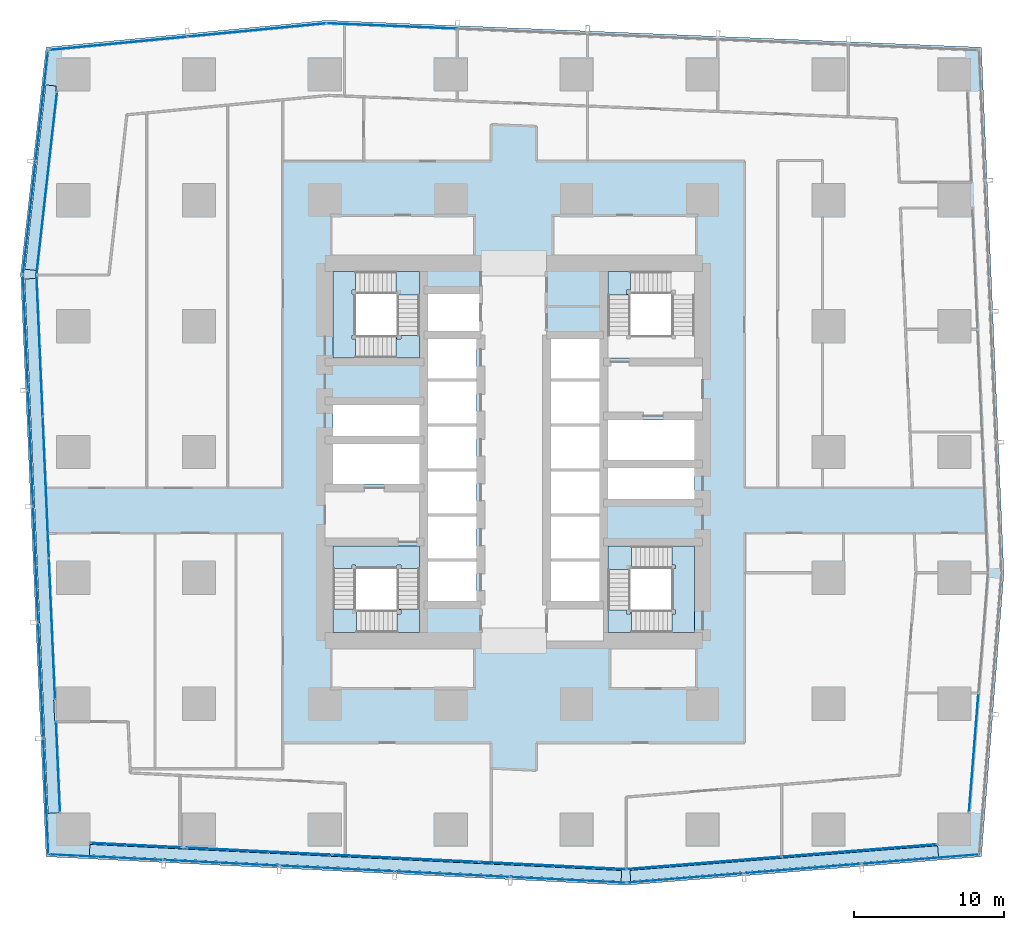
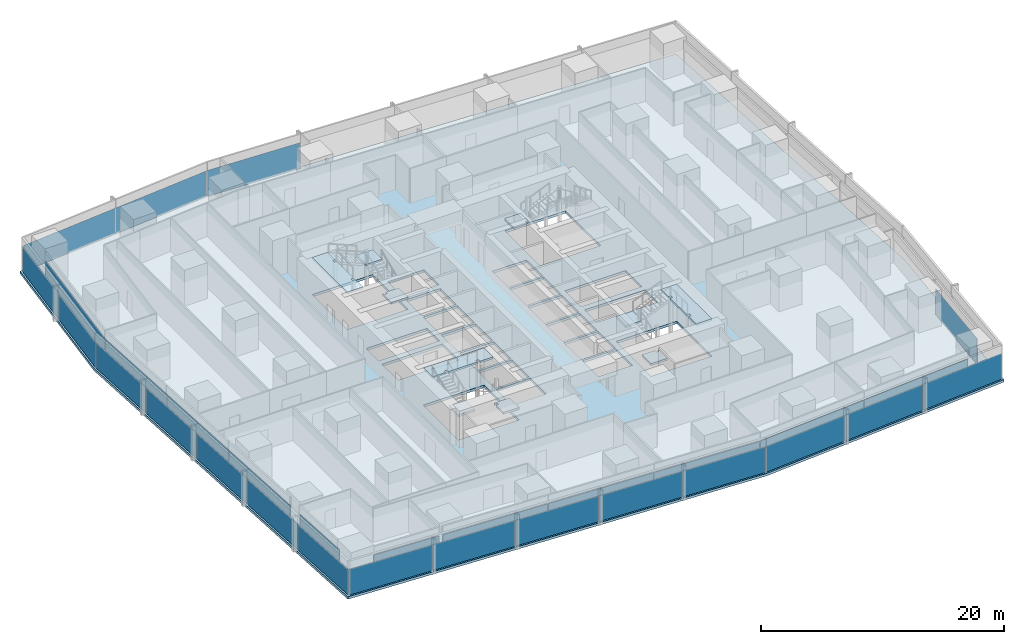
# One storey, part 30 of 44: 34 plates, 11 slabs, 17 elements without a shape of their own.
"""IFC4 building model written with IfcOpenShell, lengths in metres."""

from ifc_helpers import new_model, si_unit, direction, frame, origin, origin_2d, place, context, subcontext, project, spatial, polyline, rectangle, outline, extrude, material, layer, layer_set, type_object, element, aggregate, save


model = new_model("IFC4")

# Units and contexts
model_context = context("Model", 3, precision=1e-05, world=origin(), true_north=direction((0.0, 1.0)))
body_context = subcontext(model_context, "Body", "Model", "MODEL_VIEW")
ifc_project = project(units=[si_unit("LENGTHUNIT", "METRE"), si_unit("AREAUNIT", "SQUARE_METRE"), si_unit("VOLUMEUNIT", "CUBIC_METRE"), si_unit("PLANEANGLEUNIT", "RADIAN"), si_unit("MASSUNIT", "GRAM", prefix="KILO")], contexts=[model_context])

# Site, building, storey
site_placement = place(None, origin())
site = spatial("IfcSite", under=ifc_project, at=site_placement, CompositionType="ELEMENT")
building_placement = place(site_placement, origin())
building = spatial("IfcBuilding", under=site, at=building_placement, Name="Rekha Terrace Tower", CompositionType="ELEMENT")
storey_placement = place(building_placement, frame((0.0, 0.0, 47.89990234375)))
storey = spatial("IfcBuildingStorey", under=building, at=storey_placement, Name="L11", CompositionType="ELEMENT", Elevation=47.89990234375)

# Curtain wall, plate
ifc_material_1 = material(Name="Aluminium framing", Category="aluminium")
curtain_wall_type_1 = type_object("IfcCurtainWallType", Name="CW1 double skin inner glazing", PredefinedType="USERDEFINED", material=ifc_material_1)
curtain_wall_1_placement = place(storey_placement, origin())
curtain_wall_1 = element("IfcCurtainWall", 1, at=curtain_wall_1_placement, inside=storey, type_object=curtain_wall_type_1, Name="CW1 double skin inner glazing", ObjectType="DOUBLE SKIN INNER GLAZING", PredefinedType="USERDEFINED")
ifc_material_2 = material(Name="Double-glazed low-e unit 32", Category="glass")
ifc_layer_1 = layer(ifc_material_2, 0.031982421875)
ifc_layer_set_1 = layer_set([ifc_layer_1], Name="Double-glazed low-e unit 32")
plate_type_1 = type_object("IfcPlateType", Name="CW1 jumbo vision panel, double-glazed low-e unit 32", PredefinedType="CURTAIN_PANEL", material=ifc_layer_set_1)
plate_1_placement = place(storey_placement, frame((12.60009765625, 7.36669921875, 0.0), z_axis=(0.0, 0.0, 1.0), x_axis=(0.998796239977, -0.049051717693, 0.0)))
plate_1 = element("IfcPlate", 2, at=plate_1_placement, type_object=plate_type_1, Name="CW1 panel 1.1", PredefinedType="CURTAIN_PANEL", context=body_context, shape_type="SweptSolid", body=[
    extrude(rectangle(XDim=6.028076171875, YDim=0.031982421875, at=origin_2d()), origin(), (0.0, 0.0, 1.0), 2.60009765625),
])
aggregate(curtain_wall_1, [plate_1])

# Curtain wall, plates
curtain_wall_2_placement = place(storey_placement, origin())
curtain_wall_2 = element("IfcCurtainWall", 3, at=curtain_wall_2_placement, inside=storey, type_object=curtain_wall_type_1, Name="CW1 double skin inner glazing", ObjectType="DOUBLE SKIN INNER GLAZING", PredefinedType="USERDEFINED")
plate_2_placement = place(storey_placement, frame((20.818603515625, 6.962890625, 0.0), z_axis=(0.0, 0.0, 1.0), x_axis=(0.998796239974, -0.049051717746, 0.0)))
plate_2 = element("IfcPlate", 4, at=plate_2_placement, type_object=plate_type_1, Name="CW1 panel 1.1", PredefinedType="CURTAIN_PANEL", context=body_context, shape_type="SweptSolid", body=[
    extrude(rectangle(XDim=9.701904296875, YDim=0.031982421875, at=origin_2d()), origin(), (0.0, 0.0, 1.0), 2.60009765625),
])
plate_3_placement = place(storey_placement, frame((30.590087890625, 6.483154296875, 0.0), z_axis=(0.0, 0.0, 1.0), x_axis=(0.998796239974, -0.049051717746, 0.0)))
plate_3 = element("IfcPlate", 5, at=plate_3_placement, type_object=plate_type_1, Name="CW1 panel 2.1", PredefinedType="CURTAIN_PANEL", context=body_context, shape_type="SweptSolid", body=[
    extrude(rectangle(XDim=9.734619140625, YDim=0.031982421875, at=origin_2d()), origin(), (0.0, 0.0, 1.0), 2.60009765625),
])
plate_4_placement = place(storey_placement, frame((40.39404296875, 6.001708984375, 0.0), z_axis=(0.0, 0.0, 1.0), x_axis=(0.998796239974, -0.049051717746, 0.0)))
plate_4 = element("IfcPlate", 6, at=plate_4_placement, type_object=plate_type_1, Name="CW1 panel 3.1", PredefinedType="CURTAIN_PANEL", context=body_context, shape_type="SweptSolid", body=[
    extrude(rectangle(XDim=9.76708984375, YDim=0.031982421875, at=origin_2d()), origin(), (0.0, 0.0, 1.0), 2.60009765625),
])
aggregate(curtain_wall_2, [plate_2, plate_3, plate_4])

curtain_wall_3_placement = place(storey_placement, origin())
curtain_wall_3 = element("IfcCurtainWall", 7, at=curtain_wall_3_placement, inside=storey, type_object=curtain_wall_type_1, Name="CW1 double skin inner glazing", ObjectType="DOUBLE SKIN INNER GLAZING", PredefinedType="USERDEFINED")
plate_5_placement = place(storey_placement, frame((50.488037109375, 6.18017578125, 0.0), z_axis=(0.0, 0.0, 1.0), x_axis=(0.996805111821, 0.079872204468, 0.0)))
plate_5 = element("IfcPlate", 8, at=plate_5_placement, type_object=plate_type_1, Name="CW1 panel 1.1", PredefinedType="CURTAIN_PANEL", context=body_context, shape_type="SweptSolid", body=[
    extrude(rectangle(XDim=10.336181640625, YDim=0.031982421875, at=origin_2d()), origin(), (0.0, 0.0, 1.0), 2.60009765625),
])
plate_6_placement = place(storey_placement, frame((60.85595703125, 7.0107421875, 0.0), z_axis=(0.0, 0.0, 1.0), x_axis=(0.996805111821, 0.079872204468, 0.0)))
plate_6 = element("IfcPlate", 9, at=plate_6_placement, type_object=plate_type_1, Name="CW1 panel 2.1", PredefinedType="CURTAIN_PANEL", context=body_context, shape_type="SweptSolid", body=[
    extrude(rectangle(XDim=10.336181640625, YDim=0.031982421875, at=origin_2d()), origin(), (0.0, 0.0, 1.0), 2.60009765625),
])
aggregate(curtain_wall_3, [plate_5, plate_6])

# Curtain wall, plate
curtain_wall_4_placement = place(storey_placement, origin())
curtain_wall_4 = element("IfcCurtainWall", 10, at=curtain_wall_4_placement, inside=storey, type_object=curtain_wall_type_1, Name="CW1 double skin inner glazing", ObjectType="DOUBLE SKIN INNER GLAZING", PredefinedType="USERDEFINED")
plate_7_placement = place(storey_placement, frame((68.487548828125, 13.541748046875, 0.0), z_axis=(0.0, 0.0, 1.0), x_axis=(0.079116301, 0.996865392576, 0.0)))
plate_7 = element("IfcPlate", 11, at=plate_7_placement, type_object=plate_type_1, Name="CW1 panel 1.1", PredefinedType="CURTAIN_PANEL", context=body_context, shape_type="SweptSolid", body=[
    extrude(rectangle(XDim=7.923583984375, YDim=0.031982421875, at=origin_2d()), origin(), (0.0, 0.0, 1.0), 2.60009765625),
])
aggregate(curtain_wall_4, [plate_7])

curtain_wall_5_placement = place(storey_placement, origin())
curtain_wall_5 = element("IfcCurtainWall", 12, at=curtain_wall_5_placement, inside=storey, type_object=curtain_wall_type_1, Name="CW1 double skin inner glazing", ObjectType="DOUBLE SKIN INNER GLAZING", PredefinedType="USERDEFINED")
plate_8_placement = place(storey_placement, frame((6.646728515625, 51.52734375, 0.0), z_axis=(0.0, 0.0, 1.0), x_axis=(-0.111729870748, -0.993738615524, 0.0)))
plate_8 = element("IfcPlate", 13, at=plate_8_placement, type_object=plate_type_1, Name="CW1 panel 1.1", PredefinedType="CURTAIN_PANEL", context=body_context, shape_type="SweptSolid", body=[
    extrude(rectangle(XDim=12.243896484375, YDim=0.031982421875, at=origin_2d()), origin(), (0.0, 0.0, 1.0), 2.60009765625),
])
aggregate(curtain_wall_5, [plate_8])

# Curtain wall, plates
curtain_wall_6_placement = place(storey_placement, origin())
curtain_wall_6 = element("IfcCurtainWall", 14, at=curtain_wall_6_placement, inside=storey, type_object=curtain_wall_type_1, Name="CW1 double skin inner glazing", ObjectType="DOUBLE SKIN INNER GLAZING", PredefinedType="USERDEFINED")
plate_9_placement = place(storey_placement, frame((6.170166015625, 40.69482421875, 0.0), z_axis=(0.0, 0.0, 1.0), x_axis=(0.043682543337, -0.999045462133, 0.0)))
plate_9 = element("IfcPlate", 15, at=plate_9_placement, type_object=plate_type_1, Name="CW1 panel 1.1", PredefinedType="CURTAIN_PANEL", context=body_context, shape_type="SweptSolid", body=[
    extrude(rectangle(XDim=9.376953125, YDim=0.031982421875, at=origin_2d()), origin(), (0.0, 0.0, 1.0), 2.60009765625),
])
plate_10_placement = place(storey_placement, frame((6.58349609375, 31.245361328125, 0.0), z_axis=(0.0, 0.0, 1.0), x_axis=(0.043682543337, -0.999045462133, 0.0)))
plate_10 = element("IfcPlate", 16, at=plate_10_placement, type_object=plate_type_1, Name="CW1 panel 2.1", PredefinedType="CURTAIN_PANEL", context=body_context, shape_type="SweptSolid", body=[
    extrude(rectangle(XDim=9.40966796875, YDim=0.031982421875, at=origin_2d()), origin(), (0.0, 0.0, 1.0), 2.60009765625),
])
plate_11_placement = place(storey_placement, frame((6.99658203125, 21.796142578125, 0.0), z_axis=(0.0, 0.0, 1.0), x_axis=(0.043682543337, -0.999045462133, 0.0)))
plate_11 = element("IfcPlate", 17, at=plate_11_placement, type_object=plate_type_1, Name="CW1 panel 3.1", PredefinedType="CURTAIN_PANEL", context=body_context, shape_type="SweptSolid", body=[
    extrude(rectangle(XDim=9.376953125, YDim=0.031982421875, at=origin_2d()), origin(), (0.0, 0.0, 1.0), 2.60009765625),
])
aggregate(curtain_wall_6, [plate_9, plate_10, plate_11])

# Curtain wall, plate
curtain_wall_7_placement = place(storey_placement, origin())
curtain_wall_7 = element("IfcCurtainWall", 18, at=curtain_wall_7_placement, inside=storey, type_object=curtain_wall_type_1, Name="CW1 double skin inner glazing", ObjectType="DOUBLE SKIN INNER GLAZING", PredefinedType="USERDEFINED")
plate_12_placement = place(storey_placement, frame((7.398681640625, 12.60009765625, 0.0), z_axis=(0.0, 0.0, 1.0), x_axis=(0.043682543424, -0.999045462129, 0.0)))
plate_12 = element("IfcPlate", 19, at=plate_12_placement, type_object=plate_type_1, Name="CW1 panel 1.1", PredefinedType="CURTAIN_PANEL", context=body_context, shape_type="SweptSolid", body=[
    extrude(rectangle(XDim=6.027587890625, YDim=0.031982421875, at=origin_2d()), origin(), (0.0, 0.0, 1.0), 2.60009765625),
])
aggregate(curtain_wall_7, [plate_12])

# Curtain wall, plates
curtain_wall_type_2 = type_object("IfcCurtainWallType", Name="CW2 double skin outer glazing", PredefinedType="USERDEFINED", material=ifc_material_1)
curtain_wall_8_placement = place(storey_placement, origin())
curtain_wall_8 = element("IfcCurtainWall", 20, at=curtain_wall_8_placement, inside=storey, type_object=curtain_wall_type_2, Name="CW2 double skin outer glazing", ObjectType="DOUBLE SKIN OUTER GLAZING", PredefinedType="USERDEFINED")
ifc_material_3 = material(Name="Toughened single glazing 12", Category="glass")
ifc_layer_2 = layer(ifc_material_3, 0.011962890625)
ifc_layer_set_2 = layer_set([ifc_layer_2], Name="Toughened single glazing 12")
plate_type_2 = type_object("IfcPlateType", Name="CW2 jumbo vision panel, toughened single glazing 12", PredefinedType="CURTAIN_PANEL", material=ifc_layer_set_2)
plate_13_placement = place(storey_placement, frame((10.626708984375, 6.5625, 0.0), z_axis=(0.0, 0.0, 1.0), x_axis=(0.998796239974, -0.049051717746, 0.0)))
plate_13 = element("IfcPlate", 21, at=plate_13_placement, type_object=plate_type_2, Name="CW2 panel 1.1", PredefinedType="CURTAIN_PANEL", context=body_context, shape_type="SweptSolid", body=[
    extrude(rectangle(XDim=7.595703125, YDim=0.011962890625, at=origin_2d()), origin(), (0.0, 0.0, 1.0), 2.60009765625),
])
plate_14_placement = place(storey_placement, frame((18.31298828125, 6.18505859375, 0.0), z_axis=(0.0, 0.0, 1.0), x_axis=(0.998796239974, -0.049051717746, 0.0)))
plate_14 = element("IfcPlate", 22, at=plate_14_placement, type_object=plate_type_2, Name="CW2 panel 2.1", PredefinedType="CURTAIN_PANEL", context=body_context, shape_type="SweptSolid", body=[
    extrude(rectangle(XDim=7.6357421875, YDim=0.011962890625, at=origin_2d()), origin(), (0.0, 0.0, 1.0), 2.60009765625),
])
plate_15_placement = place(storey_placement, frame((26.01953125, 5.806396484375, 0.0), z_axis=(0.0, 0.0, 1.0), x_axis=(0.998796239974, -0.049051717746, 0.0)))
plate_15 = element("IfcPlate", 23, at=plate_15_placement, type_object=plate_type_2, Name="CW2 panel 3.1", PredefinedType="CURTAIN_PANEL", context=body_context, shape_type="SweptSolid", body=[
    extrude(rectangle(XDim=7.6357421875, YDim=0.011962890625, at=origin_2d()), origin(), (0.0, 0.0, 1.0), 2.60009765625),
])
plate_16_placement = place(storey_placement, frame((33.725830078125, 5.427978515625, 0.0), z_axis=(0.0, 0.0, 1.0), x_axis=(0.998796239974, -0.049051717746, 0.0)))
plate_16 = element("IfcPlate", 24, at=plate_16_placement, type_object=plate_type_2, Name="CW2 panel 4.1", PredefinedType="CURTAIN_PANEL", context=body_context, shape_type="SweptSolid", body=[
    extrude(rectangle(XDim=7.6357421875, YDim=0.011962890625, at=origin_2d()), origin(), (0.0, 0.0, 1.0), 2.60009765625),
])
plate_17_placement = place(storey_placement, frame((41.452392578125, 5.048583984375, 0.0), z_axis=(0.0, 0.0, 1.0), x_axis=(0.998796239974, -0.049051717746, 0.0)))
plate_17 = element("IfcPlate", 25, at=plate_17_placement, type_object=plate_type_2, Name="CW2 panel 5.1", PredefinedType="CURTAIN_PANEL", context=body_context, shape_type="SweptSolid", body=[
    extrude(rectangle(XDim=7.67578125, YDim=0.011962890625, at=origin_2d()), origin(), (0.0, 0.0, 1.0), 2.60009765625),
])
aggregate(curtain_wall_8, [plate_13, plate_14, plate_15, plate_16, plate_17])

curtain_wall_9_placement = place(storey_placement, origin())
curtain_wall_9 = element("IfcCurtainWall", 26, at=curtain_wall_9_placement, inside=storey, type_object=curtain_wall_type_2, Name="CW2 double skin outer glazing", ObjectType="DOUBLE SKIN OUTER GLAZING", PredefinedType="USERDEFINED")
plate_18_placement = place(storey_placement, frame((49.233154296875, 5.176513671875, 0.0), z_axis=(0.0, 0.0, 1.0), x_axis=(0.996805111821, 0.079872204468, 0.0)))
plate_18 = element("IfcPlate", 27, at=plate_18_placement, type_object=plate_type_2, Name="CW2 panel 1.1", PredefinedType="CURTAIN_PANEL", context=body_context, shape_type="SweptSolid", body=[
    extrude(rectangle(XDim=7.760498046875, YDim=0.011962890625, at=origin_2d()), origin(), (0.0, 0.0, 1.0), 2.60009765625),
])
plate_19_placement = place(storey_placement, frame((57.068359375, 5.804443359375, 0.0), z_axis=(0.0, 0.0, 1.0), x_axis=(0.996805111821, 0.079872204468, 0.0)))
plate_19 = element("IfcPlate", 28, at=plate_19_placement, type_object=plate_type_2, Name="CW2 panel 2.1", PredefinedType="CURTAIN_PANEL", context=body_context, shape_type="SweptSolid", body=[
    extrude(rectangle(XDim=7.800537109375, YDim=0.011962890625, at=origin_2d()), origin(), (0.0, 0.0, 1.0), 2.60009765625),
])
plate_20_placement = place(storey_placement, frame((64.943603515625, 6.435546875, 0.0), z_axis=(0.0, 0.0, 1.0), x_axis=(0.996805111821, 0.079872204468, 0.0)))
plate_20 = element("IfcPlate", 29, at=plate_20_placement, type_object=plate_type_2, Name="CW2 panel 3.1", PredefinedType="CURTAIN_PANEL", context=body_context, shape_type="SweptSolid", body=[
    extrude(rectangle(XDim=7.84033203125, YDim=0.011962890625, at=origin_2d()), origin(), (0.0, 0.0, 1.0), 2.60009765625),
])
aggregate(curtain_wall_9, [plate_18, plate_19, plate_20])

curtain_wall_10_placement = place(storey_placement, origin())
curtain_wall_10 = element("IfcCurtainWall", 30, at=curtain_wall_10_placement, inside=storey, type_object=curtain_wall_type_2, Name="CW2 double skin outer glazing", ObjectType="DOUBLE SKIN OUTER GLAZING", PredefinedType="USERDEFINED")
plate_21_placement = place(storey_placement, frame((6.3212890625, 56.688720703125, 0.0), z_axis=(0.0, 0.0, 1.0), x_axis=(-0.111729870782, -0.99373861552, 0.0)))
plate_21 = element("IfcPlate", 31, at=plate_21_placement, type_object=plate_type_2, Name="CW2 panel 1.1", PredefinedType="CURTAIN_PANEL", context=body_context, shape_type="SweptSolid", body=[
    extrude(rectangle(XDim=7.41650390625, YDim=0.011962890625, at=origin_2d()), origin(), (0.0, 0.0, 1.0), 2.60009765625),
])
plate_22_placement = place(storey_placement, frame((5.479248046875, 49.19921875, 0.0), z_axis=(0.0, 0.0, 1.0), x_axis=(-0.111729870782, -0.99373861552, 0.0)))
plate_22 = element("IfcPlate", 32, at=plate_22_placement, type_object=plate_type_2, Name="CW2 panel 2.1", PredefinedType="CURTAIN_PANEL", context=body_context, shape_type="SweptSolid", body=[
    extrude(rectangle(XDim=7.49658203125, YDim=0.011962890625, at=origin_2d()), origin(), (0.0, 0.0, 1.0), 2.60009765625),
])
aggregate(curtain_wall_10, [plate_21, plate_22])

curtain_wall_11_placement = place(storey_placement, origin())
curtain_wall_11 = element("IfcCurtainWall", 33, at=curtain_wall_11_placement, inside=storey, type_object=curtain_wall_type_2, Name="CW2 double skin outer glazing", ObjectType="DOUBLE SKIN OUTER GLAZING", PredefinedType="USERDEFINED")
plate_23_placement = place(storey_placement, frame((5.23046875, 41.582275390625, 0.0), z_axis=(0.0, 0.0, 1.0), x_axis=(0.043682543372, -0.999045462131, 0.0)))
plate_23 = element("IfcPlate", 34, at=plate_23_placement, type_object=plate_type_2, Name="CW2 panel 1.1", PredefinedType="CURTAIN_PANEL", context=body_context, shape_type="SweptSolid", body=[
    extrude(rectangle(XDim=7.6318359375, YDim=0.011962890625, at=origin_2d()), origin(), (0.0, 0.0, 1.0), 2.60009765625),
])
plate_24_placement = place(storey_placement, frame((5.568359375, 33.85791015625, 0.0), z_axis=(0.0, 0.0, 1.0), x_axis=(0.043682543372, -0.999045462131, 0.0)))
plate_24 = element("IfcPlate", 35, at=plate_24_placement, type_object=plate_type_2, Name="CW2 panel 2.1", PredefinedType="CURTAIN_PANEL", context=body_context, shape_type="SweptSolid", body=[
    extrude(rectangle(XDim=7.671875, YDim=0.011962890625, at=origin_2d()), origin(), (0.0, 0.0, 1.0), 2.60009765625),
])
plate_25_placement = place(storey_placement, frame((5.906982421875, 26.113525390625, 0.0), z_axis=(0.0, 0.0, 1.0), x_axis=(0.043682543372, -0.999045462131, 0.0)))
plate_25 = element("IfcPlate", 36, at=plate_25_placement, type_object=plate_type_2, Name="CW2 panel 3.1", PredefinedType="CURTAIN_PANEL", context=body_context, shape_type="SweptSolid", body=[
    extrude(rectangle(XDim=7.671875, YDim=0.011962890625, at=origin_2d()), origin(), (0.0, 0.0, 1.0), 2.60009765625),
])
plate_26_placement = place(storey_placement, frame((6.24560546875, 18.369140625, 0.0), z_axis=(0.0, 0.0, 1.0), x_axis=(0.043682543372, -0.999045462131, 0.0)))
plate_26 = element("IfcPlate", 37, at=plate_26_placement, type_object=plate_type_2, Name="CW2 panel 4.1", PredefinedType="CURTAIN_PANEL", context=body_context, shape_type="SweptSolid", body=[
    extrude(rectangle(XDim=7.671875, YDim=0.011962890625, at=origin_2d()), origin(), (0.0, 0.0, 1.0), 2.60009765625),
])
plate_27_placement = place(storey_placement, frame((6.5849609375, 10.60498046875, 0.0), z_axis=(0.0, 0.0, 1.0), x_axis=(0.043682543372, -0.999045462131, 0.0)))
plate_27 = element("IfcPlate", 38, at=plate_27_placement, type_object=plate_type_2, Name="CW2 panel 5.1", PredefinedType="CURTAIN_PANEL", context=body_context, shape_type="SweptSolid", body=[
    extrude(rectangle(XDim=7.711669921875, YDim=0.011962890625, at=origin_2d()), origin(), (0.0, 0.0, 1.0), 2.60009765625),
])
aggregate(curtain_wall_11, [plate_23, plate_24, plate_25, plate_26, plate_27])

# Curtain wall, plate
curtain_wall_type_3 = type_object("IfcCurtainWallType", Name="CW3 north unitised glazing", PredefinedType="USERDEFINED", material=ifc_material_1)
curtain_wall_12_placement = place(storey_placement, origin())
curtain_wall_12 = element("IfcCurtainWall", 39, at=curtain_wall_12_placement, inside=storey, type_object=curtain_wall_type_3, Name="CW3 unitised curtain wall", ObjectType="UNITISED CURTAIN WALL", PredefinedType="USERDEFINED")
ifc_material_4 = material(Name="Double-glazed unit 28", Category="glass")
ifc_layer_3 = layer(ifc_material_4, 0.028076171875)
ifc_layer_set_3 = layer_set([ifc_layer_3], Name="Double-glazed unit 28")
plate_type_3 = type_object("IfcPlateType", Name="CW3 jumbo vision panel, double-glazed unit 28", PredefinedType="CURTAIN_PANEL", material=ifc_layer_set_3)
plate_28_placement = place(storey_placement, frame((29.65625, 62.021240234375, 0.0), z_axis=(0.0, 0.0, 1.0), x_axis=(-0.999151997647, 0.041173846041, 0.0)))
plate_28 = element("IfcPlate", 40, at=plate_28_placement, type_object=plate_type_3, Name="CW3 panel 5.1", PredefinedType="CURTAIN_PANEL", context=body_context, shape_type="SweptSolid", body=[
    extrude(rectangle(XDim=8.6689453125, YDim=0.028076171875, at=origin_2d()), origin(), (0.0, 0.0, 1.0), 2.60009765625),
])
aggregate(curtain_wall_12, [plate_28])

# Curtain wall, plates
curtain_wall_13_placement = place(storey_placement, origin())
curtain_wall_13 = element("IfcCurtainWall", 41, at=curtain_wall_13_placement, inside=storey, type_object=curtain_wall_type_3, Name="CW3 unitised curtain wall", ObjectType="UNITISED CURTAIN WALL", PredefinedType="USERDEFINED")
plate_29_placement = place(storey_placement, frame((20.671875, 61.752197265625, 0.0), z_axis=(0.0, 0.0, 1.0), x_axis=(-0.995409029102, -0.095712406625, 0.0)))
plate_29 = element("IfcPlate", 42, at=plate_29_placement, type_object=plate_type_3, Name="CW3 panel 1.1", PredefinedType="CURTAIN_PANEL", context=body_context, shape_type="SweptSolid", body=[
    extrude(rectangle(XDim=9.210205078125, YDim=0.028076171875, at=origin_2d()), origin(), (0.0, 0.0, 1.0), 2.60009765625),
])
plate_30_placement = place(storey_placement, frame((11.434326171875, 60.864013671875, 0.0), z_axis=(0.0, 0.0, 1.0), x_axis=(-0.995409029102, -0.095712406625, 0.0)))
plate_30 = element("IfcPlate", 43, at=plate_30_placement, type_object=plate_type_3, Name="CW3 panel 2.1", PredefinedType="CURTAIN_PANEL", context=body_context, shape_type="SweptSolid", body=[
    extrude(rectangle(XDim=9.210205078125, YDim=0.028076171875, at=origin_2d()), origin(), (0.0, 0.0, 1.0), 2.60009765625),
])
aggregate(curtain_wall_13, [plate_29, plate_30])

# Plates
ifc_material_5 = material(Name="Galvanised steel open grating", Category="steel")
ifc_layer_4 = layer(ifc_material_5, 0.050048828125)
ifc_layer_set_4 = layer_set([ifc_layer_4], Name="Galvanised steel open grating")
plate_type_4 = type_object("IfcPlateType", Name="GT1 cavity walkway grating 50", PredefinedType="USERDEFINED", material=ifc_layer_set_4)
plate_31_placement = place(storey_placement, frame((27.24365234375, 6.197021484375, 0.0), z_axis=(0.0, 0.0, 1.0), x_axis=(0.998796239974, -0.049051717746, 0.0)))
element("IfcPlate", 44, at=plate_31_placement, inside=storey, type_object=plate_type_4, Name="Cavity walkway grating", ObjectType="CAVITY WALKWAY GRATING", PredefinedType="USERDEFINED", context=body_context, shape_type="SweptSolid", body=[
    extrude(rectangle(XDim=35.512939453125, YDim=0.705078125, at=origin_2d()), origin(), (0.0, 0.0, 1.0), 0.050048828125),
])
plate_32_placement = place(storey_placement, frame((55.841552734375, 6.15771484375, 0.0), z_axis=(0.0, 0.0, 1.0), x_axis=(0.996805111821, 0.079872204468, 0.0)))
element("IfcPlate", 45, at=plate_32_placement, inside=storey, type_object=plate_type_4, Name="Cavity walkway grating", ObjectType="CAVITY WALKWAY GRATING", PredefinedType="USERDEFINED", context=body_context, shape_type="SweptSolid", body=[
    extrude(rectangle(XDim=20.59375, YDim=0.705078125, at=origin_2d()), origin(), (0.0, 0.0, 1.0), 0.050048828125),
])
plate_33_placement = place(storey_placement, frame((6.236328125, 51.90576171875, 0.0), z_axis=(0.0, 0.0, 1.0), x_axis=(-0.1117298708, -0.993738615518, 0.0)))
element("IfcPlate", 46, at=plate_33_placement, inside=storey, type_object=plate_type_4, Name="Cavity walkway grating", ObjectType="CAVITY WALKWAY GRATING", PredefinedType="USERDEFINED", context=body_context, shape_type="SweptSolid", body=[
    extrude(rectangle(XDim=12.374267578125, YDim=0.705078125, at=origin_2d()), origin(), (0.0, 0.0, 1.0), 0.050048828125),
])
plate_34_placement = place(storey_placement, frame((6.303955078125, 27.3349609375, 0.0), z_axis=(0.0, 0.0, 1.0), x_axis=(0.043682543355, -0.999045462132, 0.0)))
element("IfcPlate", 47, at=plate_34_placement, inside=storey, type_object=plate_type_4, Name="Cavity walkway grating", ObjectType="CAVITY WALKWAY GRATING", PredefinedType="USERDEFINED", context=body_context, shape_type="SweptSolid", body=[
    extrude(rectangle(XDim=35.682861328125, YDim=0.705078125, at=origin_2d()), origin(), (0.0, 0.0, 1.0), 0.050048828125),
])

# Stair, slabs
ifc_material_6 = material(Name="Concrete M40", Category="concrete")
stair_type = type_object("IfcStairType", Name="ST30 stair, 30 risers of 125, going 300, 1500 wide flights, 3 flights", PredefinedType="HALF_TURN_STAIR", material=ifc_material_6)
stair_1_placement = place(storey_placement, origin())
stair_1 = element("IfcStair", 48, at=stair_1_placement, inside=storey, type_object=stair_type, Name="Stair ST1 L11 to L12", PredefinedType="HALF_TURN_STAIR")
ifc_layer_5 = layer(ifc_material_6, 0.199951171875)
ifc_layer_set_5 = layer_set([ifc_layer_5], Name="Concrete M40")
slab_type_1 = type_object("IfcSlabType", Name="LD1 200 concrete stair landing", PredefinedType="LANDING", material=ifc_layer_set_5)
slab_1_placement = place(storey_placement, frame((0.0, 0.0, 1.050048828125)))
slab_1 = element("IfcSlab", 49, at=slab_1_placement, type_object=slab_type_1, Name="ST1 landing 1", PredefinedType="LANDING", context=body_context, shape_type="SweptSolid", body=[
    extrude(outline(polyline([(30.02490234375, 21.550048828125), (31.52490234375, 21.550048828125), (31.52490234375, 23.125), (30.02490234375, 23.125), (30.02490234375, 23.050048828125), (30.27490234375, 23.050048828125), (30.27490234375, 22.800048828125), (30.02490234375, 22.800048828125), (30.02490234375, 21.550048828125)])), origin(), (0.0, 0.0, 1.0), 0.199951171875),
])
slab_2_placement = place(storey_placement, frame((0.0, 0.0, 2.300048828125)))
slab_2 = element("IfcSlab", 50, at=slab_2_placement, type_object=slab_type_1, Name="ST1 landing 2", PredefinedType="LANDING", context=body_context, shape_type="SweptSolid", body=[
    extrude(outline(polyline([(27.25, 23.125), (25.75, 23.125), (25.75, 21.550048828125), (27.324951171875, 21.550048828125), (27.324951171875, 23.050048828125), (27.25, 23.050048828125), (27.25, 23.125)])), origin(), (0.0, 0.0, 1.0), 0.199951171875),
])
slab_3_placement = place(storey_placement, frame((0.0, 0.0, 3.550048828125)))
slab_3 = element("IfcSlab", 51, at=slab_3_placement, type_object=slab_type_1, Name="ST1 landing 3", PredefinedType="LANDING", context=body_context, shape_type="SweptSolid", body=[
    extrude(outline(polyline([(31.52490234375, 25.824951171875), (31.52490234375, 27.324951171875), (25.75, 27.324951171875), (25.75, 25.824951171875), (27.0, 25.824951171875), (27.0, 26.074951171875), (27.25, 26.074951171875), (27.25, 25.824951171875), (30.02490234375, 25.824951171875), (30.02490234375, 26.074951171875), (30.27490234375, 26.074951171875), (30.27490234375, 25.824951171875), (31.52490234375, 25.824951171875)])), origin(), (0.0, 0.0, 1.0), 0.199951171875),
])
aggregate(stair_1, [slab_1, slab_2, slab_3])

# Stair, slab
stair_2_placement = place(storey_placement, origin())
stair_2 = element("IfcStair", 52, at=stair_2_placement, inside=storey, type_object=stair_type, Name="Stair ST2 L11 to L12", PredefinedType="HALF_TURN_STAIR")
slab_4_placement = place(storey_placement, frame((0.0, 0.0, 1.050048828125)))
slab_4 = element("IfcSlab", 53, at=slab_4_placement, type_object=slab_type_1, Name="ST2 landing 1", PredefinedType="LANDING", context=body_context, shape_type="SweptSolid", body=[
    extrude(outline(polyline([(45.574951171875, 45.64990234375), (44.074951171875, 45.64990234375), (44.074951171875, 44.074951171875), (45.574951171875, 44.074951171875), (45.574951171875, 44.14990234375), (45.324951171875, 44.14990234375), (45.324951171875, 44.39990234375), (45.574951171875, 44.39990234375), (45.574951171875, 45.64990234375)])), origin(), (0.0, 0.0, 1.0), 0.199951171875),
])
aggregate(stair_2, [slab_4])

# Stair, slabs
stair_3_placement = place(storey_placement, origin())
stair_3 = element("IfcStair", 54, at=stair_3_placement, inside=storey, type_object=stair_type, Name="Stair ST3 L11 to L12", PredefinedType="HALF_TURN_STAIR")
slab_5_placement = place(storey_placement, frame((0.0, 0.0, 1.050048828125)))
slab_5 = element("IfcSlab", 55, at=slab_5_placement, type_object=slab_type_1, Name="ST3 landing 1", PredefinedType="LANDING", context=body_context, shape_type="SweptSolid", body=[
    extrude(outline(polyline([(44.074951171875, 23.050048828125), (44.074951171875, 21.550048828125), (45.64990234375, 21.550048828125), (45.64990234375, 23.050048828125), (45.574951171875, 23.050048828125), (45.574951171875, 22.800048828125), (45.324951171875, 22.800048828125), (45.324951171875, 23.050048828125), (44.074951171875, 23.050048828125)])), origin(), (0.0, 0.0, 1.0), 0.199951171875),
])
slab_6_placement = place(storey_placement, frame((0.0, 0.0, 2.300048828125)))
slab_6 = element("IfcSlab", 56, at=slab_6_placement, type_object=slab_type_1, Name="ST3 landing 2", PredefinedType="LANDING", context=body_context, shape_type="SweptSolid", body=[
    extrude(outline(polyline([(45.64990234375, 25.824951171875), (45.64990234375, 27.324951171875), (44.074951171875, 27.324951171875), (44.074951171875, 25.75), (45.574951171875, 25.75), (45.574951171875, 25.824951171875), (45.64990234375, 25.824951171875)])), origin(), (0.0, 0.0, 1.0), 0.199951171875),
])
slab_7_placement = place(storey_placement, frame((0.0, 0.0, 3.550048828125)))
slab_7 = element("IfcSlab", 57, at=slab_7_placement, type_object=slab_type_1, Name="ST3 landing 3", PredefinedType="LANDING", context=body_context, shape_type="SweptSolid", body=[
    extrude(outline(polyline([(48.35009765625, 21.550048828125), (49.85009765625, 21.550048828125), (49.85009765625, 27.324951171875), (48.35009765625, 27.324951171875), (48.35009765625, 26.074951171875), (48.60009765625, 26.074951171875), (48.60009765625, 25.824951171875), (48.35009765625, 25.824951171875), (48.35009765625, 23.050048828125), (48.60009765625, 23.050048828125), (48.60009765625, 22.800048828125), (48.35009765625, 22.800048828125), (48.35009765625, 21.550048828125)])), origin(), (0.0, 0.0, 1.0), 0.199951171875),
])
aggregate(stair_3, [slab_5, slab_6, slab_7])

stair_4_placement = place(storey_placement, origin())
stair_4 = element("IfcStair", 58, at=stair_4_placement, inside=storey, type_object=stair_type, Name="Stair ST4 L11 to L12", PredefinedType="HALF_TURN_STAIR")
slab_8_placement = place(storey_placement, frame((0.0, 0.0, 1.050048828125)))
slab_8 = element("IfcSlab", 59, at=slab_8_placement, type_object=slab_type_1, Name="ST4 landing 1", PredefinedType="LANDING", context=body_context, shape_type="SweptSolid", body=[
    extrude(outline(polyline([(31.52490234375, 41.375), (31.52490234375, 39.875), (29.949951171875, 39.875), (29.949951171875, 41.375), (30.02490234375, 41.375), (30.02490234375, 41.125), (30.27490234375, 41.125), (30.27490234375, 41.375), (31.52490234375, 41.375)])), origin(), (0.0, 0.0, 1.0), 0.199951171875),
])
slab_9_placement = place(storey_placement, frame((0.0, 0.0, 2.300048828125)))
slab_9 = element("IfcSlab", 60, at=slab_9_placement, type_object=slab_type_1, Name="ST4 landing 2", PredefinedType="LANDING", context=body_context, shape_type="SweptSolid", body=[
    extrude(outline(polyline([(29.949951171875, 44.14990234375), (29.949951171875, 45.64990234375), (31.52490234375, 45.64990234375), (31.52490234375, 44.074951171875), (30.02490234375, 44.074951171875), (30.02490234375, 44.14990234375), (29.949951171875, 44.14990234375)])), origin(), (0.0, 0.0, 1.0), 0.199951171875),
])
slab_10_placement = place(storey_placement, frame((0.0, 0.0, 3.550048828125)))
slab_10 = element("IfcSlab", 61, at=slab_10_placement, type_object=slab_type_1, Name="ST4 landing 3", PredefinedType="LANDING", context=body_context, shape_type="SweptSolid", body=[
    extrude(outline(polyline([(27.25, 39.875), (25.75, 39.875), (25.75, 45.64990234375), (27.25, 45.64990234375), (27.25, 44.39990234375), (27.0, 44.39990234375), (27.0, 44.14990234375), (27.25, 44.14990234375), (27.25, 41.375), (27.0, 41.375), (27.0, 41.125), (27.25, 41.125), (27.25, 39.875)])), origin(), (0.0, 0.0, 1.0), 0.199951171875),
])
aggregate(stair_4, [slab_8, slab_9, slab_10])

# Slab
ifc_material_7 = material(Name="Concrete M50", Category="concrete")
ifc_layer_6 = layer(ifc_material_7, 0.25)
ifc_layer_set_6 = layer_set([ifc_layer_6], Name="Concrete M50")
slab_type_2 = type_object("IfcSlabType", Name="SL4 250 post-tensioned flat plate", PredefinedType="FLOOR", material=ifc_layer_set_6)
slab_11_placement = place(storey_placement, frame((0.0, 0.0, -0.25)))
element("IfcSlab", 62, at=slab_11_placement, inside=storey, type_object=slab_type_2, Name="Post-tensioned flat plate L11", PredefinedType="FLOOR", context=body_context, shape_type="SweptSolid", body=[
    extrude(outline(polyline([(4.89990234375, 45.47998046875), (6.60009765625, 6.60009765625), (45.2880859375, 4.699951171875), (69.0, 6.60009765625), (70.5, 25.5), (69.0, 60.60009765625), (25.320068359375, 62.39990234375), (6.60009765625, 60.60009765625), (4.89990234375, 45.47998046875)]), holes=[polyline([(31.52490234375, 27.324951171875), (31.52490234375, 21.550048828125), (25.75, 21.550048828125), (25.75, 27.324951171875), (31.52490234375, 27.324951171875)]), polyline([(35.324951171875, 26.300048828125), (35.324951171875, 23.675048828125), (32.074951171875, 23.675048828125), (32.074951171875, 26.300048828125), (35.324951171875, 26.300048828125)]), polyline([(35.324951171875, 29.300048828125), (35.324951171875, 26.5), (32.074951171875, 26.5), (32.074951171875, 29.300048828125), (35.324951171875, 29.300048828125)]), polyline([(35.324951171875, 29.5), (32.074951171875, 29.5), (32.074951171875, 32.300048828125), (35.324951171875, 32.300048828125), (35.324951171875, 29.5)]), polyline([(31.52490234375, 31.47509765625), (25.75, 31.47509765625), (25.75, 34.125), (31.52490234375, 34.125), (31.52490234375, 31.47509765625)]), polyline([(35.324951171875, 35.300048828125), (35.324951171875, 32.5), (32.074951171875, 32.5), (32.074951171875, 35.300048828125), (35.324951171875, 35.300048828125)]), polyline([(31.52490234375, 36.72509765625), (31.52490234375, 34.675048828125), (25.75, 34.675048828125), (25.75, 36.72509765625), (31.52490234375, 36.72509765625)]), polyline([(35.324951171875, 38.300048828125), (35.324951171875, 35.5), (32.074951171875, 35.5), (32.074951171875, 38.300048828125), (35.324951171875, 38.300048828125)]), polyline([(35.324951171875, 38.5), (32.074951171875, 38.5), (32.074951171875, 41.125), (35.324951171875, 41.125), (35.324951171875, 38.5)]), polyline([(31.52490234375, 39.875), (25.75, 39.875), (25.75, 45.64990234375), (31.52490234375, 45.64990234375), (31.52490234375, 39.875)]), polyline([(35.5, 44.125), (35.5, 41.675048828125), (32.074951171875, 41.675048828125), (32.074951171875, 44.125), (35.5, 44.125)]), polyline([(49.85009765625, 27.324951171875), (49.85009765625, 21.550048828125), (44.074951171875, 21.550048828125), (44.074951171875, 27.324951171875), (49.85009765625, 27.324951171875)]), polyline([(43.52490234375, 26.300048828125), (43.52490234375, 23.675048828125), (40.27490234375, 23.675048828125), (40.27490234375, 26.300048828125), (43.52490234375, 26.300048828125)]), polyline([(43.52490234375, 26.5), (40.27490234375, 26.5), (40.27490234375, 29.300048828125), (43.52490234375, 29.300048828125), (43.52490234375, 26.5)]), polyline([(43.52490234375, 29.5), (40.27490234375, 29.5), (40.27490234375, 32.300048828125), (43.52490234375, 32.300048828125), (43.52490234375, 29.5)]), polyline([(49.85009765625, 32.52490234375), (49.85009765625, 30.47509765625), (44.074951171875, 30.47509765625), (44.074951171875, 32.52490234375), (49.85009765625, 32.52490234375)]), polyline([(43.52490234375, 32.5), (40.27490234375, 32.5), (40.27490234375, 35.300048828125), (43.52490234375, 35.300048828125), (43.52490234375, 32.5)]), polyline([(49.85009765625, 33.074951171875), (44.074951171875, 33.074951171875), (44.074951171875, 35.72509765625), (49.85009765625, 35.72509765625), (49.85009765625, 33.074951171875)]), polyline([(43.52490234375, 38.300048828125), (43.52490234375, 35.5), (40.27490234375, 35.5), (40.27490234375, 38.300048828125), (43.52490234375, 38.300048828125)]), polyline([(43.52490234375, 38.5), (40.27490234375, 38.5), (40.27490234375, 41.125), (43.52490234375, 41.125), (43.52490234375, 38.5)]), polyline([(49.85009765625, 39.875), (44.074951171875, 39.875), (44.074951171875, 45.64990234375), (49.85009765625, 45.64990234375), (49.85009765625, 39.875)])]), origin(), (0.0, 0.0, 1.0), 0.25),
])

save(model, "model.ifc")
